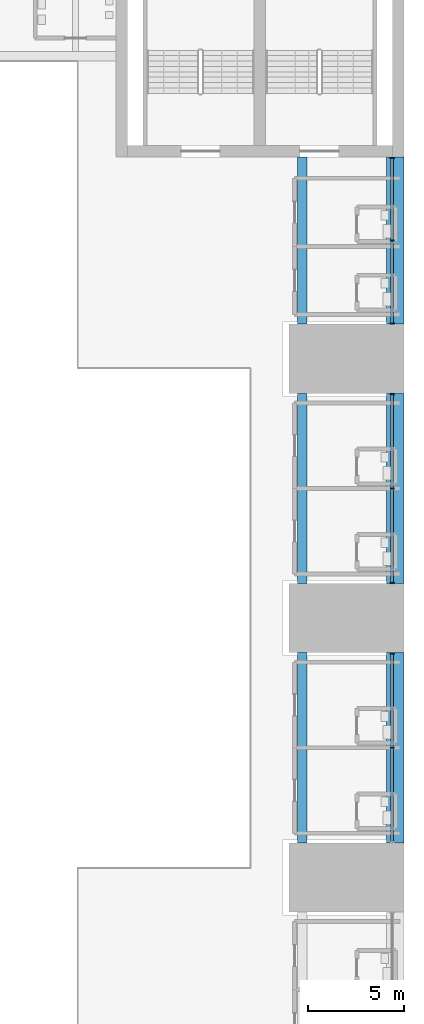
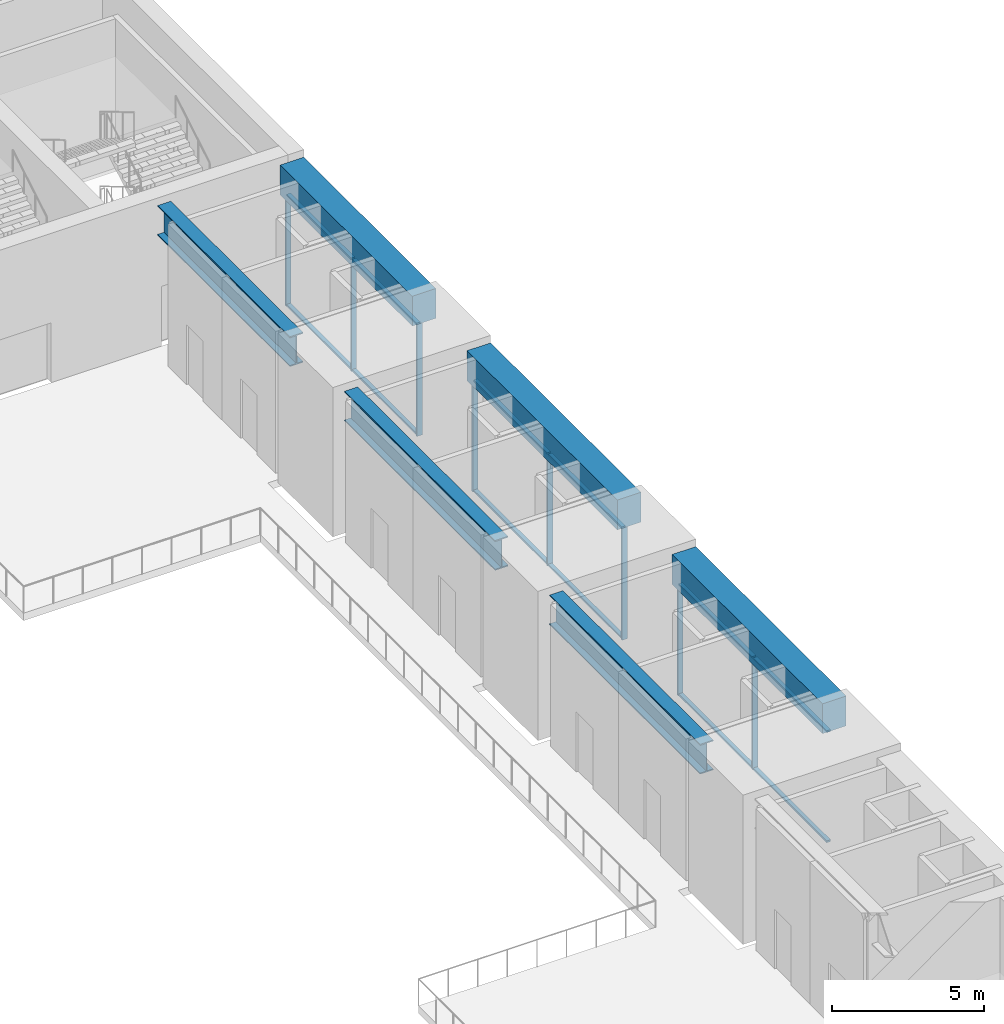
# One storey, part 7 of 43: 20 members, 6 beams, 3 elements without a shape of their own.
"""IFC4 building model written with IfcOpenShell, lengths in metres."""

from ifc_helpers import new_model, si_unit, direction, frame, origin, origin_2d, place, context, subcontext, project, spatial, rectangle, i_section, extrude, material, layer, layer_set, material_profile, profile_set, type_object, element, aggregate, save


model = new_model("IFC4")

# Units and contexts
model_context = context("Model", 3, precision=1e-05, world=origin(), true_north=direction((0.0, 1.0)))
body_context = subcontext(model_context, "Body", "Model", "MODEL_VIEW")
ifc_project = project(units=[si_unit("LENGTHUNIT", "METRE"), si_unit("AREAUNIT", "SQUARE_METRE"), si_unit("VOLUMEUNIT", "CUBIC_METRE"), si_unit("PLANEANGLEUNIT", "RADIAN"), si_unit("MASSUNIT", "GRAM", prefix="KILO")], contexts=[model_context])

# Site, building, storey
site_placement = place(None, origin())
site = spatial("IfcSite", under=ifc_project, at=site_placement, CompositionType="ELEMENT")
building_placement = place(site_placement, origin())
building = spatial("IfcBuilding", under=site, at=building_placement, Name="Corbelhall Arena Tower", CompositionType="ELEMENT")
storey_placement = place(building_placement, frame((0.0, 0.0, 25.0)))
storey = spatial("IfcBuildingStorey", under=building, at=storey_placement, Name="L03", CompositionType="ELEMENT", Elevation=25.0)

# Curtain wall, members
ifc_material_1 = material(Name="Aluminium black anodised", Category="aluminium")
ifc_layer = layer(ifc_material_1, 0.239990234375)
ifc_layer_set = layer_set([ifc_layer], Name="EV-CW4 Arena concourse glazing")
curtain_wall_type = type_object("IfcCurtainWallType", Name="EV-CW4 Arena concourse glazing", PredefinedType="NOTDEFINED", material=ifc_layer_set)
curtain_wall_1_placement = place(storey_placement, origin())
curtain_wall_1 = element("IfcCurtainWall", 1, at=curtain_wall_1_placement, inside=storey, type_object=curtain_wall_type, Name="Curtain wall CW4", PredefinedType="NOTDEFINED")
ifc_material_profile_1 = material_profile(ifc_material_1, rectangle(XDim=0.199951171875, YDim=0.074951171875, at=origin_2d()))
ifc_profile_set_1 = profile_set([ifc_material_profile_1], Name="Aluminium black anodised")
member_type_1 = type_object("IfcMemberType", Name="EV-CW4-MULLION", PredefinedType="MULLION", material=ifc_profile_set_1)
member_1_placement = place(storey_placement, frame((47.3798828125, -6.75, 0.0), z_axis=(0.0, 0.0, 1.0), x_axis=(-1.0, 0.0, 0.0)))
member_1 = element("IfcMember", 2, at=member_1_placement, type_object=member_type_1, Name="CW4 mullion 2", PredefinedType="MULLION", context=body_context, shape_type="SweptSolid", body=[
    extrude(rectangle(XDim=0.199951171875, YDim=0.074951171875, at=origin_2d()), origin(), (0.0, 0.0, 1.0), 4.5),
])
member_2_placement = place(storey_placement, frame((47.3798828125, -1.83740234375, 0.0), z_axis=(0.0, 0.0, 1.0), x_axis=(-1.0, 0.0, 0.0)))
member_2 = element("IfcMember", 3, at=member_2_placement, type_object=member_type_1, Name="CW4 mullion 3", PredefinedType="MULLION", context=body_context, shape_type="SweptSolid", body=[
    extrude(rectangle(XDim=0.199951171875, YDim=0.074951171875, at=origin_2d()), origin(), (0.0, 0.0, 1.0), 4.5),
])

curtain_wall_2_placement = place(storey_placement, origin())
curtain_wall_2 = element("IfcCurtainWall", 4, at=curtain_wall_2_placement, inside=storey, type_object=curtain_wall_type, Name="Curtain wall CW4", PredefinedType="NOTDEFINED")
member_3_placement = place(storey_placement, frame((47.3798828125, 1.83740234375, 0.0), z_axis=(0.0, 0.0, 1.0), x_axis=(-1.0, 0.0, 0.0)))
member_3 = element("IfcMember", 5, at=member_3_placement, type_object=member_type_1, Name="CW4 mullion 1", PredefinedType="MULLION", context=body_context, shape_type="SweptSolid", body=[
    extrude(rectangle(XDim=0.199951171875, YDim=0.074951171875, at=origin_2d()), origin(), (0.0, 0.0, 1.0), 4.5),
])
member_4_placement = place(storey_placement, frame((47.3798828125, 6.75, 0.0), z_axis=(0.0, 0.0, 1.0), x_axis=(-1.0, 0.0, 0.0)))
member_4 = element("IfcMember", 6, at=member_4_placement, type_object=member_type_1, Name="CW4 mullion 2", PredefinedType="MULLION", context=body_context, shape_type="SweptSolid", body=[
    extrude(rectangle(XDim=0.199951171875, YDim=0.074951171875, at=origin_2d()), origin(), (0.0, 0.0, 1.0), 4.5),
])
member_5_placement = place(storey_placement, frame((47.3798828125, 11.66259765625, 0.0), z_axis=(0.0, 0.0, 1.0), x_axis=(-1.0, 0.0, 0.0)))
member_5 = element("IfcMember", 7, at=member_5_placement, type_object=member_type_1, Name="CW4 mullion 3", PredefinedType="MULLION", context=body_context, shape_type="SweptSolid", body=[
    extrude(rectangle(XDim=0.199951171875, YDim=0.074951171875, at=origin_2d()), origin(), (0.0, 0.0, 1.0), 4.5),
])

curtain_wall_3_placement = place(storey_placement, origin())
curtain_wall_3 = element("IfcCurtainWall", 8, at=curtain_wall_3_placement, inside=storey, type_object=curtain_wall_type, Name="Curtain wall CW4B", PredefinedType="NOTDEFINED")
member_6_placement = place(storey_placement, frame((47.3798828125, 15.33740234375, 0.0), z_axis=(0.0, 0.0, 1.0), x_axis=(-1.0, 0.0, 0.0)))
member_6 = element("IfcMember", 9, at=member_6_placement, type_object=member_type_1, Name="CW4B mullion 1", PredefinedType="MULLION", context=body_context, shape_type="SweptSolid", body=[
    extrude(rectangle(XDim=0.199951171875, YDim=0.074951171875, at=origin_2d()), origin(), (0.0, 0.0, 1.0), 4.5),
])
member_7_placement = place(storey_placement, frame((47.3798828125, 19.64990234375, 0.0), z_axis=(0.0, 0.0, 1.0), x_axis=(-1.0, 0.0, 0.0)))
member_7 = element("IfcMember", 10, at=member_7_placement, type_object=member_type_1, Name="CW4B mullion 2", PredefinedType="MULLION", context=body_context, shape_type="SweptSolid", body=[
    extrude(rectangle(XDim=0.199951171875, YDim=0.074951171875, at=origin_2d()), origin(), (0.0, 0.0, 1.0), 4.5),
])
member_8_placement = place(storey_placement, frame((47.3798828125, 23.96240234375, 0.0), z_axis=(0.0, 0.0, 1.0), x_axis=(-1.0, 0.0, 0.0)))
member_8 = element("IfcMember", 11, at=member_8_placement, type_object=member_type_1, Name="CW4B mullion 3", PredefinedType="MULLION", context=body_context, shape_type="SweptSolid", body=[
    extrude(rectangle(XDim=0.199951171875, YDim=0.074951171875, at=origin_2d()), origin(), (0.0, 0.0, 1.0), 4.5),
])

# Member
ifc_material_profile_2 = material_profile(ifc_material_1, rectangle(XDim=0.14990234375, YDim=0.074951171875, at=origin_2d()))
ifc_profile_set_2 = profile_set([ifc_material_profile_2], Name="Aluminium black anodised")
member_type_2 = type_object("IfcMemberType", Name="EV-CW4-TRANSOM", PredefinedType="USERDEFINED", material=ifc_profile_set_2)
member_9_placement = place(storey_placement, frame((47.3798828125, -11.625, 0.03759765625), z_axis=(0.0, 1.0, 0.0), x_axis=(-1.0, 0.0, 0.0)))
member_9 = element("IfcMember", 12, at=member_9_placement, type_object=member_type_2, Name="CW4 transom 1.1", ObjectType="transom", PredefinedType="USERDEFINED", context=body_context, shape_type="SweptSolid", body=[
    extrude(rectangle(XDim=0.14990234375, YDim=0.074951171875, at=origin_2d()), origin(), (0.0, 0.0, 1.0), 4.83740234375),
])

member_10_placement = place(storey_placement, frame((47.3798828125, -11.625, 4.46240234375), z_axis=(0.0, 1.0, 0.0), x_axis=(-1.0, 0.0, 0.0)))
member_10 = element("IfcMember", 13, at=member_10_placement, type_object=member_type_2, Name="CW4 transom 1.2", ObjectType="transom", PredefinedType="USERDEFINED", context=body_context, shape_type="SweptSolid", body=[
    extrude(rectangle(XDim=0.14990234375, YDim=0.074951171875, at=origin_2d()), origin(), (0.0, 0.0, 1.0), 4.83740234375),
])

member_11_placement = place(storey_placement, frame((47.3798828125, -6.71240234375, 0.03759765625), z_axis=(0.0, 1.0, 0.0), x_axis=(-1.0, 0.0, 0.0)))
member_11 = element("IfcMember", 14, at=member_11_placement, type_object=member_type_2, Name="CW4 transom 2.1", ObjectType="transom", PredefinedType="USERDEFINED", context=body_context, shape_type="SweptSolid", body=[
    extrude(rectangle(XDim=0.14990234375, YDim=0.074951171875, at=origin_2d()), origin(), (0.0, 0.0, 1.0), 4.83740234375),
])

member_12_placement = place(storey_placement, frame((47.3798828125, -6.71240234375, 4.46240234375), z_axis=(0.0, 1.0, 0.0), x_axis=(-1.0, 0.0, 0.0)))
member_12 = element("IfcMember", 15, at=member_12_placement, type_object=member_type_2, Name="CW4 transom 2.2", ObjectType="transom", PredefinedType="USERDEFINED", context=body_context, shape_type="SweptSolid", body=[
    extrude(rectangle(XDim=0.14990234375, YDim=0.074951171875, at=origin_2d()), origin(), (0.0, 0.0, 1.0), 4.83740234375),
])

aggregate(curtain_wall_1, [member_1, member_2, member_9, member_10, member_11, member_12])

member_13_placement = place(storey_placement, frame((47.3798828125, 1.875, 0.03759765625), z_axis=(0.0, 1.0, 0.0), x_axis=(-1.0, 0.0, 0.0)))
member_13 = element("IfcMember", 16, at=member_13_placement, type_object=member_type_2, Name="CW4 transom 1.1", ObjectType="transom", PredefinedType="USERDEFINED", context=body_context, shape_type="SweptSolid", body=[
    extrude(rectangle(XDim=0.14990234375, YDim=0.074951171875, at=origin_2d()), origin(), (0.0, 0.0, 1.0), 4.83740234375),
])

member_14_placement = place(storey_placement, frame((47.3798828125, 1.875, 4.46240234375), z_axis=(0.0, 1.0, 0.0), x_axis=(-1.0, 0.0, 0.0)))
member_14 = element("IfcMember", 17, at=member_14_placement, type_object=member_type_2, Name="CW4 transom 1.2", ObjectType="transom", PredefinedType="USERDEFINED", context=body_context, shape_type="SweptSolid", body=[
    extrude(rectangle(XDim=0.14990234375, YDim=0.074951171875, at=origin_2d()), origin(), (0.0, 0.0, 1.0), 4.83740234375),
])

member_15_placement = place(storey_placement, frame((47.3798828125, 6.78759765625, 0.03759765625), z_axis=(0.0, 1.0, 0.0), x_axis=(-1.0, 0.0, 0.0)))
member_15 = element("IfcMember", 18, at=member_15_placement, type_object=member_type_2, Name="CW4 transom 2.1", ObjectType="transom", PredefinedType="USERDEFINED", context=body_context, shape_type="SweptSolid", body=[
    extrude(rectangle(XDim=0.14990234375, YDim=0.074951171875, at=origin_2d()), origin(), (0.0, 0.0, 1.0), 4.83740234375),
])

member_16_placement = place(storey_placement, frame((47.3798828125, 6.78759765625, 4.46240234375), z_axis=(0.0, 1.0, 0.0), x_axis=(-1.0, 0.0, 0.0)))
member_16 = element("IfcMember", 19, at=member_16_placement, type_object=member_type_2, Name="CW4 transom 2.2", ObjectType="transom", PredefinedType="USERDEFINED", context=body_context, shape_type="SweptSolid", body=[
    extrude(rectangle(XDim=0.14990234375, YDim=0.074951171875, at=origin_2d()), origin(), (0.0, 0.0, 1.0), 4.83740234375),
])

aggregate(curtain_wall_2, [member_3, member_4, member_5, member_13, member_14, member_15, member_16])

member_17_placement = place(storey_placement, frame((47.3798828125, 15.375, 0.03759765625), z_axis=(0.0, 1.0, 0.0), x_axis=(-1.0, 0.0, 0.0)))
member_17 = element("IfcMember", 20, at=member_17_placement, type_object=member_type_2, Name="CW4B transom 1.1", ObjectType="transom", PredefinedType="USERDEFINED", context=body_context, shape_type="SweptSolid", body=[
    extrude(rectangle(XDim=0.14990234375, YDim=0.074951171875, at=origin_2d()), origin(), (0.0, 0.0, 1.0), 4.237548828125),
])

member_18_placement = place(storey_placement, frame((47.3798828125, 15.375, 4.46240234375), z_axis=(0.0, 1.0, 0.0), x_axis=(-1.0, 0.0, 0.0)))
member_18 = element("IfcMember", 21, at=member_18_placement, type_object=member_type_2, Name="CW4B transom 1.2", ObjectType="transom", PredefinedType="USERDEFINED", context=body_context, shape_type="SweptSolid", body=[
    extrude(rectangle(XDim=0.14990234375, YDim=0.074951171875, at=origin_2d()), origin(), (0.0, 0.0, 1.0), 4.237548828125),
])

member_19_placement = place(storey_placement, frame((47.3798828125, 19.6875, 0.03759765625), z_axis=(0.0, 1.0, 0.0), x_axis=(-1.0, 0.0, 0.0)))
member_19 = element("IfcMember", 22, at=member_19_placement, type_object=member_type_2, Name="CW4B transom 2.1", ObjectType="transom", PredefinedType="USERDEFINED", context=body_context, shape_type="SweptSolid", body=[
    extrude(rectangle(XDim=0.14990234375, YDim=0.074951171875, at=origin_2d()), origin(), (0.0, 0.0, 1.0), 4.237548828125),
])

member_20_placement = place(storey_placement, frame((47.3798828125, 19.6875, 4.46240234375), z_axis=(0.0, 1.0, 0.0), x_axis=(-1.0, 0.0, 0.0)))
member_20 = element("IfcMember", 23, at=member_20_placement, type_object=member_type_2, Name="CW4B transom 2.2", ObjectType="transom", PredefinedType="USERDEFINED", context=body_context, shape_type="SweptSolid", body=[
    extrude(rectangle(XDim=0.14990234375, YDim=0.074951171875, at=origin_2d()), origin(), (0.0, 0.0, 1.0), 4.237548828125),
])

aggregate(curtain_wall_3, [member_6, member_7, member_8, member_17, member_18, member_19, member_20])

# Beams
ifc_material_2 = material(Name="Steel ASTM A572 Gr50", Category="steel")
ifc_material_profile_3 = material_profile(ifc_material_2, i_section(OverallWidth=0.5, OverallDepth=1.199951171875, WebThickness=0.02490234375, FlangeThickness=0.044921875, at=origin_2d()))
ifc_profile_set_3 = profile_set([ifc_material_profile_3], Name="Steel ASTM A572 Gr50")
beam_type_1 = type_object("IfcBeamType", Name="PO-GIRDER-PG1200X500X25X45", PredefinedType="BEAM", material=ifc_profile_set_3)
for number, where, z_axis, x_axis, name in (
    (24, (42.699951171875, -11.699951171875, 5.10009765625), (0.0, 1.0, 0.0), (-1.0, 0.0, 0.0), "INNER END GIRDER"),
    (25, (42.699951171875, 1.800048828125, 5.10009765625), (0.0, 1.0, 0.0), (-1.0, 0.0, 0.0), "INNER END GIRDER"),
):
    element("IfcBeam", number, at=place(storey_placement, frame(where, z_axis=z_axis, x_axis=x_axis)), inside=storey, type_object=beam_type_1, Name=name, PredefinedType="BEAM", context=body_context, shape_type="SweptSolid", body=[
        extrude(i_section(OverallWidth=0.5, OverallDepth=1.199951171875, WebThickness=0.02490234375, FlangeThickness=0.044921875, at=origin_2d()), origin(), (0.0, 0.0, 1.0), 9.89990234375),
    ])
beam_1_placement = place(storey_placement, frame((42.699951171875, 15.300048828125, 5.10009765625), z_axis=(0.0, 1.0, 0.0), x_axis=(-1.0, 0.0, 0.0)))
element("IfcBeam", 26, at=beam_1_placement, inside=storey, type_object=beam_type_1, Name="INNER END GIRDER", PredefinedType="BEAM", context=body_context, shape_type="SweptSolid", body=[
    extrude(i_section(OverallWidth=0.5, OverallDepth=1.199951171875, WebThickness=0.02490234375, FlangeThickness=0.044921875, at=origin_2d()), origin(), (0.0, 0.0, 1.0), 8.699951171875),
])
ifc_material_3 = material(Name="Concrete C80/95", Category="concrete")
ifc_material_profile_4 = material_profile(ifc_material_3, rectangle(XDim=0.89990234375, YDim=1.199951171875, at=origin_2d()))
ifc_profile_set_4 = profile_set([ifc_material_profile_4], Name="Concrete C80/95")
beam_type_2 = type_object("IfcBeamType", Name="PO-RING-BEAM", PredefinedType="BEAM", material=ifc_profile_set_4)
for number, where, z_axis, x_axis, name in (
    (27, (47.550048828125, -11.699951171875, 5.10009765625), (0.0, 1.0, 0.0), (-1.0, 0.0, 0.0), "RING GIRDER L04 E2"),
    (28, (47.550048828125, 1.800048828125, 5.10009765625), (0.0, 1.0, 0.0), (-1.0, 0.0, 0.0), "RING GIRDER L04 E3"),
):
    element("IfcBeam", number, at=place(storey_placement, frame(where, z_axis=z_axis, x_axis=x_axis)), inside=storey, type_object=beam_type_2, Name=name, PredefinedType="BEAM", context=body_context, shape_type="SweptSolid", body=[
        extrude(rectangle(XDim=0.89990234375, YDim=1.199951171875, at=origin_2d()), origin(), (0.0, 0.0, 1.0), 9.89990234375),
    ])
beam_2_placement = place(storey_placement, frame((47.550048828125, 15.300048828125, 5.10009765625), z_axis=(0.0, 1.0, 0.0), x_axis=(-1.0, 0.0, 0.0)))
element("IfcBeam", 29, at=beam_2_placement, inside=storey, type_object=beam_type_2, Name="RING GIRDER L04 E4", PredefinedType="BEAM", context=body_context, shape_type="SweptSolid", body=[
    extrude(rectangle(XDim=0.89990234375, YDim=1.199951171875, at=origin_2d()), origin(), (0.0, 0.0, 1.0), 8.699951171875),
])

save(model, "model.ifc")
